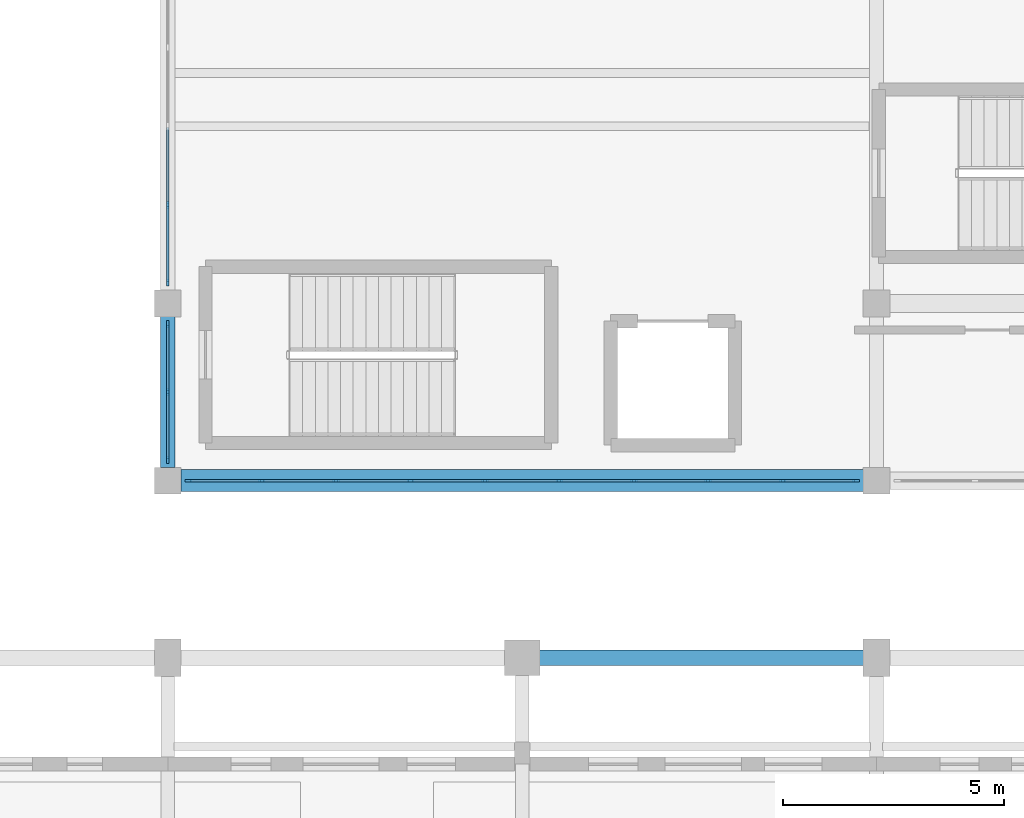
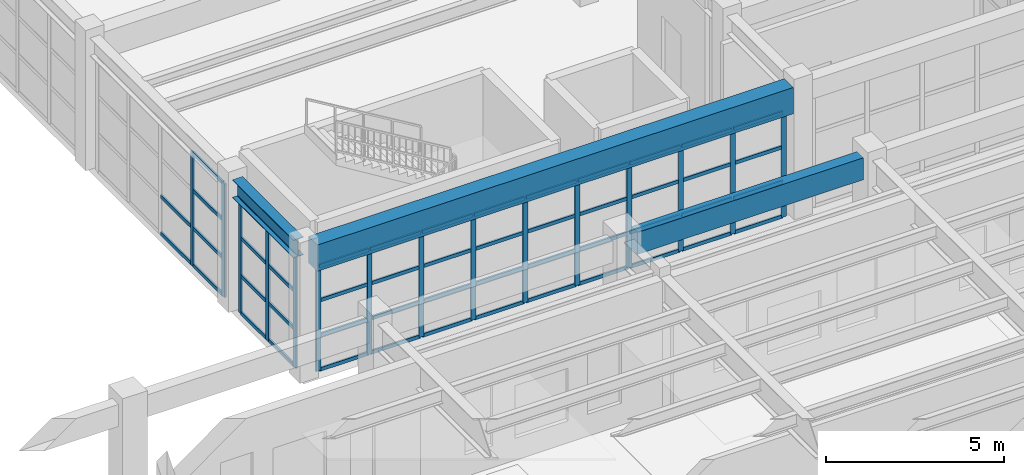
# One storey, part 19 of 59: 65 members, 3 beams, 3 elements without a shape of their own.
"""IFC4 building model written with IfcOpenShell, lengths in metres."""

from ifc_helpers import new_model, si_unit, direction, frame, origin, origin_2d, place, context, subcontext, project, spatial, rectangle, i_section, extrude, material, material_profile, profile_set, type_object, element, aggregate, save


model = new_model("IFC4")

# Units and contexts
model_context = context("Model", 3, precision=1e-05, world=origin(), true_north=direction((0.0, 1.0)))
body_context = subcontext(model_context, "Body", "Model", "MODEL_VIEW")
ifc_project = project(units=[si_unit("LENGTHUNIT", "METRE"), si_unit("AREAUNIT", "SQUARE_METRE"), si_unit("VOLUMEUNIT", "CUBIC_METRE"), si_unit("PLANEANGLEUNIT", "RADIAN"), si_unit("MASSUNIT", "GRAM", prefix="KILO")], contexts=[model_context])

# Site, building, storey
site_placement = place(None, origin())
site = spatial("IfcSite", under=ifc_project, at=site_placement, CompositionType="ELEMENT")
building_placement = place(site_placement, origin())
building = spatial("IfcBuilding", under=site, at=building_placement, Name="Serraluz Foothill Cableway Terminal", CompositionType="ELEMENT")
storey_placement = place(building_placement, frame((0.0, 0.0, 4.800048828125)))
storey = spatial("IfcBuildingStorey", under=building, at=storey_placement, Name="L01", CompositionType="ELEMENT", Elevation=4.800048828125)

# Beams
ifc_material_1 = material(Name="Concrete C35/45 (f'c 35 MPa)", Category="concrete")
ifc_material_profile_1 = material_profile(ifc_material_1, rectangle(XDim=0.5, YDim=0.89990234375, at=origin_2d()), Name="RC 500x900")
ifc_profile_set_1 = profile_set([ifc_material_profile_1], Name="Concrete C35/45 (f'c 35 MPa)")
beam_type_1 = type_object("IfcBeamType", Name="TYP-BM-RC500X900", PredefinedType="BEAM", material=ifc_profile_set_1)
beam_1_placement = place(storey_placement, frame((80.2958984375, 76.0, 4.050048828125), z_axis=(1.0, 0.0, 0.0), x_axis=(0.0, 1.0, 0.0)))
element("IfcBeam", 1, at=beam_1_placement, inside=storey, type_object=beam_type_1, Name="Primary Girder BM-X-L01-0234", PredefinedType="BEAM", context=body_context, shape_type="SweptSolid", body=[
    extrude(rectangle(XDim=0.5, YDim=0.89990234375, at=origin_2d()), origin(), (0.0, 0.0, 1.0), 15.408203125),
])
ifc_material_2 = material(Name="Steel ASTM A992 Grade 50", Category="steel")
ifc_material_profile_2 = material_profile(ifc_material_2, i_section(OverallWidth=0.324951171875, OverallDepth=0.615966796875, WebThickness=0.013916015625, FlangeThickness=0.021484375, FilletRadius=0.01806640625, at=origin_2d()), Name="W24X117")
ifc_profile_set_2 = profile_set([ifc_material_profile_2], Name="Steel ASTM A992 Grade 50")
beam_type_2 = type_object("IfcBeamType", Name="TYP-BM-W24X117", PredefinedType="BEAM", material=ifc_profile_set_2)
beam_2_placement = place(storey_placement, frame((80.0, 76.2958984375, 4.19189453125), z_axis=(0.0, 1.0, 0.0), x_axis=(-1.0, 0.0, 0.0)))
element("IfcBeam", 2, at=beam_2_placement, inside=storey, type_object=beam_type_2, Name="Transverse Girder BM-Y-L01-0260", PredefinedType="BEAM", context=body_context, shape_type="SweptSolid", body=[
    extrude(i_section(OverallWidth=0.324951171875, OverallDepth=0.615966796875, WebThickness=0.013916015625, FlangeThickness=0.021484375, FilletRadius=0.01806640625, at=origin_2d()), origin(), (0.0, 0.0, 1.0), 3.408203125),
])

# Curtain wall, members
ifc_material_3 = material(Name="Architectural bronze alloy C28000", Category="aluminium")
curtain_wall_type = type_object("IfcCurtainWallType", Name="TYP-CW-680X420", PredefinedType="NOTDEFINED", material=ifc_material_3)
curtain_wall_1_placement = place(storey_placement, origin())
curtain_wall_1 = element("IfcCurtainWall", 3, at=curtain_wall_1_placement, inside=storey, type_object=curtain_wall_type, Name="Ribbed Glazed Curtain Wall CW-V4S-L01-80", PredefinedType="NOTDEFINED")
ifc_material_profile_3 = material_profile(ifc_material_3, rectangle(XDim=0.06005859375, YDim=0.159912109375, at=origin_2d()), Name="ALU MULLION 60x160")
ifc_profile_set_3 = profile_set([ifc_material_profile_3], Name="Architectural bronze alloy C28000")
member_type_1 = type_object("IfcMemberType", Name="TYP-CW-MUL-60X160", PredefinedType="MULLION", material=ifc_profile_set_3)
member_1_placement = place(storey_placement, frame((95.530029296875, 76.0, 0.0), z_axis=(0.0, 0.0, 1.0), x_axis=(0.0, -1.0, 0.0)))
member_1 = element("IfcMember", 4, at=member_1_placement, type_object=member_type_1, Name="CW-13 mullion 1", PredefinedType="MULLION", context=body_context, shape_type="SweptSolid", body=[
    extrude(rectangle(XDim=0.06005859375, YDim=0.159912109375, at=origin_2d()), origin(), (0.0, 0.0, 1.0), 3.599853515625),
])
member_2_placement = place(storey_placement, frame((93.8798828125, 76.0, 0.0), z_axis=(0.0, 0.0, 1.0), x_axis=(0.0, -1.0, 0.0)))
member_2 = element("IfcMember", 5, at=member_2_placement, type_object=member_type_1, Name="CW-13 mullion 2", PredefinedType="MULLION", context=body_context, shape_type="SweptSolid", body=[
    extrude(rectangle(XDim=0.06005859375, YDim=0.159912109375, at=origin_2d()), origin(), (0.0, 0.0, 1.0), 3.599853515625),
])
member_3_placement = place(storey_placement, frame((92.199951171875, 76.0, 0.0), z_axis=(0.0, 0.0, 1.0), x_axis=(0.0, -1.0, 0.0)))
member_3 = element("IfcMember", 6, at=member_3_placement, type_object=member_type_1, Name="CW-13 mullion 3", PredefinedType="MULLION", context=body_context, shape_type="SweptSolid", body=[
    extrude(rectangle(XDim=0.06005859375, YDim=0.159912109375, at=origin_2d()), origin(), (0.0, 0.0, 1.0), 3.599853515625),
])
member_4_placement = place(storey_placement, frame((90.52001953125, 76.0, 0.0), z_axis=(0.0, 0.0, 1.0), x_axis=(0.0, -1.0, 0.0)))
member_4 = element("IfcMember", 7, at=member_4_placement, type_object=member_type_1, Name="CW-13 mullion 4", PredefinedType="MULLION", context=body_context, shape_type="SweptSolid", body=[
    extrude(rectangle(XDim=0.06005859375, YDim=0.159912109375, at=origin_2d()), origin(), (0.0, 0.0, 1.0), 3.599853515625),
])
member_5_placement = place(storey_placement, frame((88.840087890625, 76.0, 0.0), z_axis=(0.0, 0.0, 1.0), x_axis=(0.0, -1.0, 0.0)))
member_5 = element("IfcMember", 8, at=member_5_placement, type_object=member_type_1, Name="CW-13 mullion 5", PredefinedType="MULLION", context=body_context, shape_type="SweptSolid", body=[
    extrude(rectangle(XDim=0.06005859375, YDim=0.159912109375, at=origin_2d()), origin(), (0.0, 0.0, 1.0), 3.599853515625),
])
member_6_placement = place(storey_placement, frame((87.159912109375, 76.0, 0.0), z_axis=(0.0, 0.0, 1.0), x_axis=(0.0, -1.0, 0.0)))
member_6 = element("IfcMember", 9, at=member_6_placement, type_object=member_type_1, Name="CW-13 mullion 6", PredefinedType="MULLION", context=body_context, shape_type="SweptSolid", body=[
    extrude(rectangle(XDim=0.06005859375, YDim=0.159912109375, at=origin_2d()), origin(), (0.0, 0.0, 1.0), 3.599853515625),
])
member_7_placement = place(storey_placement, frame((85.47998046875, 76.0, 0.0), z_axis=(0.0, 0.0, 1.0), x_axis=(0.0, -1.0, 0.0)))
member_7 = element("IfcMember", 10, at=member_7_placement, type_object=member_type_1, Name="CW-13 mullion 7", PredefinedType="MULLION", context=body_context, shape_type="SweptSolid", body=[
    extrude(rectangle(XDim=0.06005859375, YDim=0.159912109375, at=origin_2d()), origin(), (0.0, 0.0, 1.0), 3.599853515625),
])
member_8_placement = place(storey_placement, frame((83.800048828125, 76.0, 0.0), z_axis=(0.0, 0.0, 1.0), x_axis=(0.0, -1.0, 0.0)))
member_8 = element("IfcMember", 11, at=member_8_placement, type_object=member_type_1, Name="CW-13 mullion 8", PredefinedType="MULLION", context=body_context, shape_type="SweptSolid", body=[
    extrude(rectangle(XDim=0.06005859375, YDim=0.159912109375, at=origin_2d()), origin(), (0.0, 0.0, 1.0), 3.599853515625),
])
member_9_placement = place(storey_placement, frame((82.1201171875, 76.0, 0.0), z_axis=(0.0, 0.0, 1.0), x_axis=(0.0, -1.0, 0.0)))
member_9 = element("IfcMember", 12, at=member_9_placement, type_object=member_type_1, Name="CW-13 mullion 9", PredefinedType="MULLION", context=body_context, shape_type="SweptSolid", body=[
    extrude(rectangle(XDim=0.06005859375, YDim=0.159912109375, at=origin_2d()), origin(), (0.0, 0.0, 1.0), 3.599853515625),
])
member_10_placement = place(storey_placement, frame((80.469970703125, 76.0, 0.0), z_axis=(0.0, 0.0, 1.0), x_axis=(0.0, -1.0, 0.0)))
member_10 = element("IfcMember", 13, at=member_10_placement, type_object=member_type_1, Name="CW-13 mullion 10", PredefinedType="MULLION", context=body_context, shape_type="SweptSolid", body=[
    extrude(rectangle(XDim=0.06005859375, YDim=0.159912109375, at=origin_2d()), origin(), (0.0, 0.0, 1.0), 3.599853515625),
])

curtain_wall_2_placement = place(storey_placement, origin())
curtain_wall_2 = element("IfcCurtainWall", 14, at=curtain_wall_2_placement, inside=storey, type_object=curtain_wall_type, Name="Ribbed Glazed Curtain Wall CW-V4W-L01-76", PredefinedType="NOTDEFINED")
member_11_placement = place(storey_placement, frame((80.0, 76.469970703125, 0.0), z_axis=(0.0, 0.0, 1.0), x_axis=(-1.0, 0.0, 0.0)))
member_11 = element("IfcMember", 15, at=member_11_placement, type_object=member_type_1, Name="CW-13 mullion 1", PredefinedType="MULLION", context=body_context, shape_type="SweptSolid", body=[
    extrude(rectangle(XDim=0.06005859375, YDim=0.159912109375, at=origin_2d()), origin(), (0.0, 0.0, 1.0), 3.884033203125),
])
member_12_placement = place(storey_placement, frame((80.0, 78.0, 0.0), z_axis=(0.0, 0.0, 1.0), x_axis=(-1.0, 0.0, 0.0)))
member_12 = element("IfcMember", 16, at=member_12_placement, type_object=member_type_1, Name="CW-13 mullion 2", PredefinedType="MULLION", context=body_context, shape_type="SweptSolid", body=[
    extrude(rectangle(XDim=0.06005859375, YDim=0.159912109375, at=origin_2d()), origin(), (0.0, 0.0, 1.0), 3.884033203125),
])
member_13_placement = place(storey_placement, frame((80.0, 79.530029296875, 0.0), z_axis=(0.0, 0.0, 1.0), x_axis=(-1.0, 0.0, 0.0)))
member_13 = element("IfcMember", 17, at=member_13_placement, type_object=member_type_1, Name="CW-13 mullion 3", PredefinedType="MULLION", context=body_context, shape_type="SweptSolid", body=[
    extrude(rectangle(XDim=0.06005859375, YDim=0.159912109375, at=origin_2d()), origin(), (0.0, 0.0, 1.0), 3.884033203125),
])

curtain_wall_3_placement = place(storey_placement, origin())
curtain_wall_3 = element("IfcCurtainWall", 18, at=curtain_wall_3_placement, inside=storey, type_object=curtain_wall_type, Name="Ribbed Glazed Curtain Wall CW-V4W-L01-80", PredefinedType="NOTDEFINED")
member_14_placement = place(storey_placement, frame((80.0, 80.469970703125, 0.0), z_axis=(0.0, 0.0, 1.0), x_axis=(-1.0, 0.0, 0.0)))
member_14 = element("IfcMember", 19, at=member_14_placement, type_object=member_type_1, Name="CW-13 mullion 1", PredefinedType="MULLION", context=body_context, shape_type="SweptSolid", body=[
    extrude(rectangle(XDim=0.06005859375, YDim=0.159912109375, at=origin_2d()), origin(), (0.0, 0.0, 1.0), 3.884033203125),
])
member_15_placement = place(storey_placement, frame((80.0, 82.219970703125, 0.0), z_axis=(0.0, 0.0, 1.0), x_axis=(-1.0, 0.0, 0.0)))
member_15 = element("IfcMember", 20, at=member_15_placement, type_object=member_type_1, Name="CW-13 mullion 2", PredefinedType="MULLION", context=body_context, shape_type="SweptSolid", body=[
    extrude(rectangle(XDim=0.06005859375, YDim=0.159912109375, at=origin_2d()), origin(), (0.0, 0.0, 1.0), 3.884033203125),
])

# Member
ifc_material_profile_4 = material_profile(ifc_material_3, rectangle(XDim=0.06005859375, YDim=0.1201171875, at=origin_2d()), Name="ALU TRANSOM 60x120")
ifc_profile_set_4 = profile_set([ifc_material_profile_4], Name="Architectural bronze alloy C28000")
member_type_2 = type_object("IfcMemberType", Name="TYP-CW-TRN-60X120", PredefinedType="USERDEFINED", material=ifc_profile_set_4)
member_16_placement = place(storey_placement, frame((95.5, 76.0, 0.030029296875), z_axis=(-1.0, 0.0, 0.0), x_axis=(0.0, -1.0, 0.0)))
member_16 = element("IfcMember", 21, at=member_16_placement, type_object=member_type_2, Name="CW-13 transom 1.1", ObjectType="TRANSOM", PredefinedType="USERDEFINED", context=body_context, shape_type="SweptSolid", body=[
    extrude(rectangle(XDim=0.06005859375, YDim=0.1201171875, at=origin_2d()), origin(), (0.0, 0.0, 1.0), 1.590087890625),
])

member_17_placement = place(storey_placement, frame((95.5, 76.0, 1.199951171875), z_axis=(-1.0, 0.0, 0.0), x_axis=(0.0, -1.0, 0.0)))
member_17 = element("IfcMember", 22, at=member_17_placement, type_object=member_type_2, Name="CW-13 transom 1.2", ObjectType="TRANSOM", PredefinedType="USERDEFINED", context=body_context, shape_type="SweptSolid", body=[
    extrude(rectangle(XDim=0.06005859375, YDim=0.1201171875, at=origin_2d()), origin(), (0.0, 0.0, 1.0), 1.590087890625),
])

member_18_placement = place(storey_placement, frame((95.5, 76.0, 2.39990234375), z_axis=(-1.0, 0.0, 0.0), x_axis=(0.0, -1.0, 0.0)))
member_18 = element("IfcMember", 23, at=member_18_placement, type_object=member_type_2, Name="CW-13 transom 1.3", ObjectType="TRANSOM", PredefinedType="USERDEFINED", context=body_context, shape_type="SweptSolid", body=[
    extrude(rectangle(XDim=0.06005859375, YDim=0.1201171875, at=origin_2d()), origin(), (0.0, 0.0, 1.0), 1.590087890625),
])

member_19_placement = place(storey_placement, frame((95.5, 76.0, 3.570068359375), z_axis=(-1.0, 0.0, 0.0), x_axis=(0.0, -1.0, 0.0)))
member_19 = element("IfcMember", 24, at=member_19_placement, type_object=member_type_2, Name="CW-13 transom 1.4", ObjectType="TRANSOM", PredefinedType="USERDEFINED", context=body_context, shape_type="SweptSolid", body=[
    extrude(rectangle(XDim=0.06005859375, YDim=0.1201171875, at=origin_2d()), origin(), (0.0, 0.0, 1.0), 1.590087890625),
])

member_20_placement = place(storey_placement, frame((93.85009765625, 76.0, 0.030029296875), z_axis=(-1.0, 0.0, 0.0), x_axis=(0.0, -1.0, 0.0)))
member_20 = element("IfcMember", 25, at=member_20_placement, type_object=member_type_2, Name="CW-13 transom 2.1", ObjectType="TRANSOM", PredefinedType="USERDEFINED", context=body_context, shape_type="SweptSolid", body=[
    extrude(rectangle(XDim=0.06005859375, YDim=0.1201171875, at=origin_2d()), origin(), (0.0, 0.0, 1.0), 1.6201171875),
])

member_21_placement = place(storey_placement, frame((93.85009765625, 76.0, 1.199951171875), z_axis=(-1.0, 0.0, 0.0), x_axis=(0.0, -1.0, 0.0)))
member_21 = element("IfcMember", 26, at=member_21_placement, type_object=member_type_2, Name="CW-13 transom 2.2", ObjectType="TRANSOM", PredefinedType="USERDEFINED", context=body_context, shape_type="SweptSolid", body=[
    extrude(rectangle(XDim=0.06005859375, YDim=0.1201171875, at=origin_2d()), origin(), (0.0, 0.0, 1.0), 1.6201171875),
])

member_22_placement = place(storey_placement, frame((93.85009765625, 76.0, 2.39990234375), z_axis=(-1.0, 0.0, 0.0), x_axis=(0.0, -1.0, 0.0)))
member_22 = element("IfcMember", 27, at=member_22_placement, type_object=member_type_2, Name="CW-13 transom 2.3", ObjectType="TRANSOM", PredefinedType="USERDEFINED", context=body_context, shape_type="SweptSolid", body=[
    extrude(rectangle(XDim=0.06005859375, YDim=0.1201171875, at=origin_2d()), origin(), (0.0, 0.0, 1.0), 1.6201171875),
])

member_23_placement = place(storey_placement, frame((93.85009765625, 76.0, 3.570068359375), z_axis=(-1.0, 0.0, 0.0), x_axis=(0.0, -1.0, 0.0)))
member_23 = element("IfcMember", 28, at=member_23_placement, type_object=member_type_2, Name="CW-13 transom 2.4", ObjectType="TRANSOM", PredefinedType="USERDEFINED", context=body_context, shape_type="SweptSolid", body=[
    extrude(rectangle(XDim=0.06005859375, YDim=0.1201171875, at=origin_2d()), origin(), (0.0, 0.0, 1.0), 1.6201171875),
])

member_24_placement = place(storey_placement, frame((92.169921875, 76.0, 0.030029296875), z_axis=(-1.0, 0.0, 0.0), x_axis=(0.0, -1.0, 0.0)))
member_24 = element("IfcMember", 29, at=member_24_placement, type_object=member_type_2, Name="CW-13 transom 3.1", ObjectType="TRANSOM", PredefinedType="USERDEFINED", context=body_context, shape_type="SweptSolid", body=[
    extrude(rectangle(XDim=0.06005859375, YDim=0.1201171875, at=origin_2d()), origin(), (0.0, 0.0, 1.0), 1.619873046875),
])

member_25_placement = place(storey_placement, frame((92.169921875, 76.0, 1.199951171875), z_axis=(-1.0, 0.0, 0.0), x_axis=(0.0, -1.0, 0.0)))
member_25 = element("IfcMember", 30, at=member_25_placement, type_object=member_type_2, Name="CW-13 transom 3.2", ObjectType="TRANSOM", PredefinedType="USERDEFINED", context=body_context, shape_type="SweptSolid", body=[
    extrude(rectangle(XDim=0.06005859375, YDim=0.1201171875, at=origin_2d()), origin(), (0.0, 0.0, 1.0), 1.619873046875),
])

member_26_placement = place(storey_placement, frame((92.169921875, 76.0, 2.39990234375), z_axis=(-1.0, 0.0, 0.0), x_axis=(0.0, -1.0, 0.0)))
member_26 = element("IfcMember", 31, at=member_26_placement, type_object=member_type_2, Name="CW-13 transom 3.3", ObjectType="TRANSOM", PredefinedType="USERDEFINED", context=body_context, shape_type="SweptSolid", body=[
    extrude(rectangle(XDim=0.06005859375, YDim=0.1201171875, at=origin_2d()), origin(), (0.0, 0.0, 1.0), 1.619873046875),
])

member_27_placement = place(storey_placement, frame((92.169921875, 76.0, 3.570068359375), z_axis=(-1.0, 0.0, 0.0), x_axis=(0.0, -1.0, 0.0)))
member_27 = element("IfcMember", 32, at=member_27_placement, type_object=member_type_2, Name="CW-13 transom 3.4", ObjectType="TRANSOM", PredefinedType="USERDEFINED", context=body_context, shape_type="SweptSolid", body=[
    extrude(rectangle(XDim=0.06005859375, YDim=0.1201171875, at=origin_2d()), origin(), (0.0, 0.0, 1.0), 1.619873046875),
])

member_28_placement = place(storey_placement, frame((90.489990234375, 76.0, 0.030029296875), z_axis=(-1.0, 0.0, 0.0), x_axis=(0.0, -1.0, 0.0)))
member_28 = element("IfcMember", 33, at=member_28_placement, type_object=member_type_2, Name="CW-13 transom 4.1", ObjectType="TRANSOM", PredefinedType="USERDEFINED", context=body_context, shape_type="SweptSolid", body=[
    extrude(rectangle(XDim=0.06005859375, YDim=0.1201171875, at=origin_2d()), origin(), (0.0, 0.0, 1.0), 1.619873046875),
])

member_29_placement = place(storey_placement, frame((90.489990234375, 76.0, 1.199951171875), z_axis=(-1.0, 0.0, 0.0), x_axis=(0.0, -1.0, 0.0)))
member_29 = element("IfcMember", 34, at=member_29_placement, type_object=member_type_2, Name="CW-13 transom 4.2", ObjectType="TRANSOM", PredefinedType="USERDEFINED", context=body_context, shape_type="SweptSolid", body=[
    extrude(rectangle(XDim=0.06005859375, YDim=0.1201171875, at=origin_2d()), origin(), (0.0, 0.0, 1.0), 1.619873046875),
])

member_30_placement = place(storey_placement, frame((90.489990234375, 76.0, 2.39990234375), z_axis=(-1.0, 0.0, 0.0), x_axis=(0.0, -1.0, 0.0)))
member_30 = element("IfcMember", 35, at=member_30_placement, type_object=member_type_2, Name="CW-13 transom 4.3", ObjectType="TRANSOM", PredefinedType="USERDEFINED", context=body_context, shape_type="SweptSolid", body=[
    extrude(rectangle(XDim=0.06005859375, YDim=0.1201171875, at=origin_2d()), origin(), (0.0, 0.0, 1.0), 1.619873046875),
])

member_31_placement = place(storey_placement, frame((90.489990234375, 76.0, 3.570068359375), z_axis=(-1.0, 0.0, 0.0), x_axis=(0.0, -1.0, 0.0)))
member_31 = element("IfcMember", 36, at=member_31_placement, type_object=member_type_2, Name="CW-13 transom 4.4", ObjectType="TRANSOM", PredefinedType="USERDEFINED", context=body_context, shape_type="SweptSolid", body=[
    extrude(rectangle(XDim=0.06005859375, YDim=0.1201171875, at=origin_2d()), origin(), (0.0, 0.0, 1.0), 1.619873046875),
])

member_32_placement = place(storey_placement, frame((88.81005859375, 76.0, 0.030029296875), z_axis=(-1.0, 0.0, 0.0), x_axis=(0.0, -1.0, 0.0)))
member_32 = element("IfcMember", 37, at=member_32_placement, type_object=member_type_2, Name="CW-13 transom 5.1", ObjectType="TRANSOM", PredefinedType="USERDEFINED", context=body_context, shape_type="SweptSolid", body=[
    extrude(rectangle(XDim=0.06005859375, YDim=0.1201171875, at=origin_2d()), origin(), (0.0, 0.0, 1.0), 1.6201171875),
])

member_33_placement = place(storey_placement, frame((88.81005859375, 76.0, 1.199951171875), z_axis=(-1.0, 0.0, 0.0), x_axis=(0.0, -1.0, 0.0)))
member_33 = element("IfcMember", 38, at=member_33_placement, type_object=member_type_2, Name="CW-13 transom 5.2", ObjectType="TRANSOM", PredefinedType="USERDEFINED", context=body_context, shape_type="SweptSolid", body=[
    extrude(rectangle(XDim=0.06005859375, YDim=0.1201171875, at=origin_2d()), origin(), (0.0, 0.0, 1.0), 1.6201171875),
])

member_34_placement = place(storey_placement, frame((88.81005859375, 76.0, 2.39990234375), z_axis=(-1.0, 0.0, 0.0), x_axis=(0.0, -1.0, 0.0)))
member_34 = element("IfcMember", 39, at=member_34_placement, type_object=member_type_2, Name="CW-13 transom 5.3", ObjectType="TRANSOM", PredefinedType="USERDEFINED", context=body_context, shape_type="SweptSolid", body=[
    extrude(rectangle(XDim=0.06005859375, YDim=0.1201171875, at=origin_2d()), origin(), (0.0, 0.0, 1.0), 1.6201171875),
])

member_35_placement = place(storey_placement, frame((88.81005859375, 76.0, 3.570068359375), z_axis=(-1.0, 0.0, 0.0), x_axis=(0.0, -1.0, 0.0)))
member_35 = element("IfcMember", 40, at=member_35_placement, type_object=member_type_2, Name="CW-13 transom 5.4", ObjectType="TRANSOM", PredefinedType="USERDEFINED", context=body_context, shape_type="SweptSolid", body=[
    extrude(rectangle(XDim=0.06005859375, YDim=0.1201171875, at=origin_2d()), origin(), (0.0, 0.0, 1.0), 1.6201171875),
])

member_36_placement = place(storey_placement, frame((87.1298828125, 76.0, 0.030029296875), z_axis=(-1.0, 0.0, 0.0), x_axis=(0.0, -1.0, 0.0)))
member_36 = element("IfcMember", 41, at=member_36_placement, type_object=member_type_2, Name="CW-13 transom 6.1", ObjectType="TRANSOM", PredefinedType="USERDEFINED", context=body_context, shape_type="SweptSolid", body=[
    extrude(rectangle(XDim=0.06005859375, YDim=0.1201171875, at=origin_2d()), origin(), (0.0, 0.0, 1.0), 1.619873046875),
])

member_37_placement = place(storey_placement, frame((87.1298828125, 76.0, 1.199951171875), z_axis=(-1.0, 0.0, 0.0), x_axis=(0.0, -1.0, 0.0)))
member_37 = element("IfcMember", 42, at=member_37_placement, type_object=member_type_2, Name="CW-13 transom 6.2", ObjectType="TRANSOM", PredefinedType="USERDEFINED", context=body_context, shape_type="SweptSolid", body=[
    extrude(rectangle(XDim=0.06005859375, YDim=0.1201171875, at=origin_2d()), origin(), (0.0, 0.0, 1.0), 1.619873046875),
])

member_38_placement = place(storey_placement, frame((87.1298828125, 76.0, 2.39990234375), z_axis=(-1.0, 0.0, 0.0), x_axis=(0.0, -1.0, 0.0)))
member_38 = element("IfcMember", 43, at=member_38_placement, type_object=member_type_2, Name="CW-13 transom 6.3", ObjectType="TRANSOM", PredefinedType="USERDEFINED", context=body_context, shape_type="SweptSolid", body=[
    extrude(rectangle(XDim=0.06005859375, YDim=0.1201171875, at=origin_2d()), origin(), (0.0, 0.0, 1.0), 1.619873046875),
])

member_39_placement = place(storey_placement, frame((87.1298828125, 76.0, 3.570068359375), z_axis=(-1.0, 0.0, 0.0), x_axis=(0.0, -1.0, 0.0)))
member_39 = element("IfcMember", 44, at=member_39_placement, type_object=member_type_2, Name="CW-13 transom 6.4", ObjectType="TRANSOM", PredefinedType="USERDEFINED", context=body_context, shape_type="SweptSolid", body=[
    extrude(rectangle(XDim=0.06005859375, YDim=0.1201171875, at=origin_2d()), origin(), (0.0, 0.0, 1.0), 1.619873046875),
])

member_40_placement = place(storey_placement, frame((85.449951171875, 76.0, 0.030029296875), z_axis=(-1.0, 0.0, 0.0), x_axis=(0.0, -1.0, 0.0)))
member_40 = element("IfcMember", 45, at=member_40_placement, type_object=member_type_2, Name="CW-13 transom 7.1", ObjectType="TRANSOM", PredefinedType="USERDEFINED", context=body_context, shape_type="SweptSolid", body=[
    extrude(rectangle(XDim=0.06005859375, YDim=0.1201171875, at=origin_2d()), origin(), (0.0, 0.0, 1.0), 1.619873046875),
])

member_41_placement = place(storey_placement, frame((85.449951171875, 76.0, 1.199951171875), z_axis=(-1.0, 0.0, 0.0), x_axis=(0.0, -1.0, 0.0)))
member_41 = element("IfcMember", 46, at=member_41_placement, type_object=member_type_2, Name="CW-13 transom 7.2", ObjectType="TRANSOM", PredefinedType="USERDEFINED", context=body_context, shape_type="SweptSolid", body=[
    extrude(rectangle(XDim=0.06005859375, YDim=0.1201171875, at=origin_2d()), origin(), (0.0, 0.0, 1.0), 1.619873046875),
])

member_42_placement = place(storey_placement, frame((85.449951171875, 76.0, 2.39990234375), z_axis=(-1.0, 0.0, 0.0), x_axis=(0.0, -1.0, 0.0)))
member_42 = element("IfcMember", 47, at=member_42_placement, type_object=member_type_2, Name="CW-13 transom 7.3", ObjectType="TRANSOM", PredefinedType="USERDEFINED", context=body_context, shape_type="SweptSolid", body=[
    extrude(rectangle(XDim=0.06005859375, YDim=0.1201171875, at=origin_2d()), origin(), (0.0, 0.0, 1.0), 1.619873046875),
])

member_43_placement = place(storey_placement, frame((85.449951171875, 76.0, 3.570068359375), z_axis=(-1.0, 0.0, 0.0), x_axis=(0.0, -1.0, 0.0)))
member_43 = element("IfcMember", 48, at=member_43_placement, type_object=member_type_2, Name="CW-13 transom 7.4", ObjectType="TRANSOM", PredefinedType="USERDEFINED", context=body_context, shape_type="SweptSolid", body=[
    extrude(rectangle(XDim=0.06005859375, YDim=0.1201171875, at=origin_2d()), origin(), (0.0, 0.0, 1.0), 1.619873046875),
])

member_44_placement = place(storey_placement, frame((83.77001953125, 76.0, 0.030029296875), z_axis=(-1.0, 0.0, 0.0), x_axis=(0.0, -1.0, 0.0)))
member_44 = element("IfcMember", 49, at=member_44_placement, type_object=member_type_2, Name="CW-13 transom 8.1", ObjectType="TRANSOM", PredefinedType="USERDEFINED", context=body_context, shape_type="SweptSolid", body=[
    extrude(rectangle(XDim=0.06005859375, YDim=0.1201171875, at=origin_2d()), origin(), (0.0, 0.0, 1.0), 1.6201171875),
])

member_45_placement = place(storey_placement, frame((83.77001953125, 76.0, 1.199951171875), z_axis=(-1.0, 0.0, 0.0), x_axis=(0.0, -1.0, 0.0)))
member_45 = element("IfcMember", 50, at=member_45_placement, type_object=member_type_2, Name="CW-13 transom 8.2", ObjectType="TRANSOM", PredefinedType="USERDEFINED", context=body_context, shape_type="SweptSolid", body=[
    extrude(rectangle(XDim=0.06005859375, YDim=0.1201171875, at=origin_2d()), origin(), (0.0, 0.0, 1.0), 1.6201171875),
])

member_46_placement = place(storey_placement, frame((83.77001953125, 76.0, 2.39990234375), z_axis=(-1.0, 0.0, 0.0), x_axis=(0.0, -1.0, 0.0)))
member_46 = element("IfcMember", 51, at=member_46_placement, type_object=member_type_2, Name="CW-13 transom 8.3", ObjectType="TRANSOM", PredefinedType="USERDEFINED", context=body_context, shape_type="SweptSolid", body=[
    extrude(rectangle(XDim=0.06005859375, YDim=0.1201171875, at=origin_2d()), origin(), (0.0, 0.0, 1.0), 1.6201171875),
])

member_47_placement = place(storey_placement, frame((83.77001953125, 76.0, 3.570068359375), z_axis=(-1.0, 0.0, 0.0), x_axis=(0.0, -1.0, 0.0)))
member_47 = element("IfcMember", 52, at=member_47_placement, type_object=member_type_2, Name="CW-13 transom 8.4", ObjectType="TRANSOM", PredefinedType="USERDEFINED", context=body_context, shape_type="SweptSolid", body=[
    extrude(rectangle(XDim=0.06005859375, YDim=0.1201171875, at=origin_2d()), origin(), (0.0, 0.0, 1.0), 1.6201171875),
])

member_48_placement = place(storey_placement, frame((82.090087890625, 76.0, 0.030029296875), z_axis=(-1.0, 0.0, 0.0), x_axis=(0.0, -1.0, 0.0)))
member_48 = element("IfcMember", 53, at=member_48_placement, type_object=member_type_2, Name="CW-13 transom 9.1", ObjectType="TRANSOM", PredefinedType="USERDEFINED", context=body_context, shape_type="SweptSolid", body=[
    extrude(rectangle(XDim=0.06005859375, YDim=0.1201171875, at=origin_2d()), origin(), (0.0, 0.0, 1.0), 1.590087890625),
])

member_49_placement = place(storey_placement, frame((82.090087890625, 76.0, 1.199951171875), z_axis=(-1.0, 0.0, 0.0), x_axis=(0.0, -1.0, 0.0)))
member_49 = element("IfcMember", 54, at=member_49_placement, type_object=member_type_2, Name="CW-13 transom 9.2", ObjectType="TRANSOM", PredefinedType="USERDEFINED", context=body_context, shape_type="SweptSolid", body=[
    extrude(rectangle(XDim=0.06005859375, YDim=0.1201171875, at=origin_2d()), origin(), (0.0, 0.0, 1.0), 1.590087890625),
])

member_50_placement = place(storey_placement, frame((82.090087890625, 76.0, 2.39990234375), z_axis=(-1.0, 0.0, 0.0), x_axis=(0.0, -1.0, 0.0)))
member_50 = element("IfcMember", 55, at=member_50_placement, type_object=member_type_2, Name="CW-13 transom 9.3", ObjectType="TRANSOM", PredefinedType="USERDEFINED", context=body_context, shape_type="SweptSolid", body=[
    extrude(rectangle(XDim=0.06005859375, YDim=0.1201171875, at=origin_2d()), origin(), (0.0, 0.0, 1.0), 1.590087890625),
])

member_51_placement = place(storey_placement, frame((82.090087890625, 76.0, 3.570068359375), z_axis=(-1.0, 0.0, 0.0), x_axis=(0.0, -1.0, 0.0)))
member_51 = element("IfcMember", 56, at=member_51_placement, type_object=member_type_2, Name="CW-13 transom 9.4", ObjectType="TRANSOM", PredefinedType="USERDEFINED", context=body_context, shape_type="SweptSolid", body=[
    extrude(rectangle(XDim=0.06005859375, YDim=0.1201171875, at=origin_2d()), origin(), (0.0, 0.0, 1.0), 1.590087890625),
])

aggregate(curtain_wall_1, [member_1, member_2, member_3, member_4, member_5, member_6, member_7, member_8, member_9, member_10, member_16, member_17, member_18, member_19, member_20, member_21, member_22, member_23, member_24, member_25, member_26, member_27, member_28, member_29, member_30, member_31, member_32, member_33, member_34, member_35, member_36, member_37, member_38, member_39, member_40, member_41, member_42, member_43, member_44, member_45, member_46, member_47, member_48, member_49, member_50, member_51])

member_52_placement = place(storey_placement, frame((80.0, 76.5, 0.030029296875), z_axis=(0.0, 1.0, 0.0), x_axis=(-1.0, 0.0, 0.0)))
member_52 = element("IfcMember", 57, at=member_52_placement, type_object=member_type_2, Name="CW-13 transom 1.1", ObjectType="TRANSOM", PredefinedType="USERDEFINED", context=body_context, shape_type="SweptSolid", body=[
    extrude(rectangle(XDim=0.06005859375, YDim=0.1201171875, at=origin_2d()), origin(), (0.0, 0.0, 1.0), 1.469970703125),
])

member_53_placement = place(storey_placement, frame((80.0, 76.5, 1.294677734375), z_axis=(0.0, 1.0, 0.0), x_axis=(-1.0, 0.0, 0.0)))
member_53 = element("IfcMember", 58, at=member_53_placement, type_object=member_type_2, Name="CW-13 transom 1.2", ObjectType="TRANSOM", PredefinedType="USERDEFINED", context=body_context, shape_type="SweptSolid", body=[
    extrude(rectangle(XDim=0.06005859375, YDim=0.1201171875, at=origin_2d()), origin(), (0.0, 0.0, 1.0), 1.469970703125),
])

member_54_placement = place(storey_placement, frame((80.0, 76.5, 2.58935546875), z_axis=(0.0, 1.0, 0.0), x_axis=(-1.0, 0.0, 0.0)))
member_54 = element("IfcMember", 59, at=member_54_placement, type_object=member_type_2, Name="CW-13 transom 1.3", ObjectType="TRANSOM", PredefinedType="USERDEFINED", context=body_context, shape_type="SweptSolid", body=[
    extrude(rectangle(XDim=0.06005859375, YDim=0.1201171875, at=origin_2d()), origin(), (0.0, 0.0, 1.0), 1.469970703125),
])

member_55_placement = place(storey_placement, frame((80.0, 76.5, 3.85400390625), z_axis=(0.0, 1.0, 0.0), x_axis=(-1.0, 0.0, 0.0)))
member_55 = element("IfcMember", 60, at=member_55_placement, type_object=member_type_2, Name="CW-13 transom 1.4", ObjectType="TRANSOM", PredefinedType="USERDEFINED", context=body_context, shape_type="SweptSolid", body=[
    extrude(rectangle(XDim=0.06005859375, YDim=0.1201171875, at=origin_2d()), origin(), (0.0, 0.0, 1.0), 1.469970703125),
])

member_56_placement = place(storey_placement, frame((80.0, 78.030029296875, 0.030029296875), z_axis=(0.0, 1.0, 0.0), x_axis=(-1.0, 0.0, 0.0)))
member_56 = element("IfcMember", 61, at=member_56_placement, type_object=member_type_2, Name="CW-13 transom 2.1", ObjectType="TRANSOM", PredefinedType="USERDEFINED", context=body_context, shape_type="SweptSolid", body=[
    extrude(rectangle(XDim=0.06005859375, YDim=0.1201171875, at=origin_2d()), origin(), (0.0, 0.0, 1.0), 1.469970703125),
])

member_57_placement = place(storey_placement, frame((80.0, 78.030029296875, 1.294677734375), z_axis=(0.0, 1.0, 0.0), x_axis=(-1.0, 0.0, 0.0)))
member_57 = element("IfcMember", 62, at=member_57_placement, type_object=member_type_2, Name="CW-13 transom 2.2", ObjectType="TRANSOM", PredefinedType="USERDEFINED", context=body_context, shape_type="SweptSolid", body=[
    extrude(rectangle(XDim=0.06005859375, YDim=0.1201171875, at=origin_2d()), origin(), (0.0, 0.0, 1.0), 1.469970703125),
])

member_58_placement = place(storey_placement, frame((80.0, 78.030029296875, 2.58935546875), z_axis=(0.0, 1.0, 0.0), x_axis=(-1.0, 0.0, 0.0)))
member_58 = element("IfcMember", 63, at=member_58_placement, type_object=member_type_2, Name="CW-13 transom 2.3", ObjectType="TRANSOM", PredefinedType="USERDEFINED", context=body_context, shape_type="SweptSolid", body=[
    extrude(rectangle(XDim=0.06005859375, YDim=0.1201171875, at=origin_2d()), origin(), (0.0, 0.0, 1.0), 1.469970703125),
])

member_59_placement = place(storey_placement, frame((80.0, 78.030029296875, 3.85400390625), z_axis=(0.0, 1.0, 0.0), x_axis=(-1.0, 0.0, 0.0)))
member_59 = element("IfcMember", 64, at=member_59_placement, type_object=member_type_2, Name="CW-13 transom 2.4", ObjectType="TRANSOM", PredefinedType="USERDEFINED", context=body_context, shape_type="SweptSolid", body=[
    extrude(rectangle(XDim=0.06005859375, YDim=0.1201171875, at=origin_2d()), origin(), (0.0, 0.0, 1.0), 1.469970703125),
])

aggregate(curtain_wall_2, [member_11, member_12, member_13, member_52, member_53, member_54, member_55, member_56, member_57, member_58, member_59])

member_60_placement = place(storey_placement, frame((80.0, 80.5, 0.030029296875), z_axis=(0.0, 1.0, 0.0), x_axis=(-1.0, 0.0, 0.0)))
member_60 = element("IfcMember", 65, at=member_60_placement, type_object=member_type_2, Name="CW-13 transom 1.1", ObjectType="TRANSOM", PredefinedType="USERDEFINED", context=body_context, shape_type="SweptSolid", body=[
    extrude(rectangle(XDim=0.06005859375, YDim=0.1201171875, at=origin_2d()), origin(), (0.0, 0.0, 1.0), 1.68994140625),
])

member_61_placement = place(storey_placement, frame((80.0, 80.5, 1.294677734375), z_axis=(0.0, 1.0, 0.0), x_axis=(-1.0, 0.0, 0.0)))
member_61 = element("IfcMember", 66, at=member_61_placement, type_object=member_type_2, Name="CW-13 transom 1.2", ObjectType="TRANSOM", PredefinedType="USERDEFINED", context=body_context, shape_type="SweptSolid", body=[
    extrude(rectangle(XDim=0.06005859375, YDim=0.1201171875, at=origin_2d()), origin(), (0.0, 0.0, 1.0), 1.68994140625),
])

member_62_placement = place(storey_placement, frame((80.0, 80.5, 2.58935546875), z_axis=(0.0, 1.0, 0.0), x_axis=(-1.0, 0.0, 0.0)))
member_62 = element("IfcMember", 67, at=member_62_placement, type_object=member_type_2, Name="CW-13 transom 1.3", ObjectType="TRANSOM", PredefinedType="USERDEFINED", context=body_context, shape_type="SweptSolid", body=[
    extrude(rectangle(XDim=0.06005859375, YDim=0.1201171875, at=origin_2d()), origin(), (0.0, 0.0, 1.0), 1.68994140625),
])

member_63_placement = place(storey_placement, frame((80.0, 80.5, 3.85400390625), z_axis=(0.0, 1.0, 0.0), x_axis=(-1.0, 0.0, 0.0)))
member_63 = element("IfcMember", 68, at=member_63_placement, type_object=member_type_2, Name="CW-13 transom 1.4", ObjectType="TRANSOM", PredefinedType="USERDEFINED", context=body_context, shape_type="SweptSolid", body=[
    extrude(rectangle(XDim=0.06005859375, YDim=0.1201171875, at=origin_2d()), origin(), (0.0, 0.0, 1.0), 1.68994140625),
])

member_64_placement = place(storey_placement, frame((80.0, 82.25, 0.030029296875), z_axis=(0.0, 1.0, 0.0), x_axis=(-1.0, 0.0, 0.0)))
member_64 = element("IfcMember", 69, at=member_64_placement, type_object=member_type_2, Name="CW-13 transom 2.1", ObjectType="TRANSOM", PredefinedType="USERDEFINED", context=body_context, shape_type="SweptSolid", body=[
    extrude(rectangle(XDim=0.06005859375, YDim=0.1201171875, at=origin_2d()), origin(), (0.0, 0.0, 1.0), 1.719970703125),
])

member_65_placement = place(storey_placement, frame((80.0, 82.25, 1.294677734375), z_axis=(0.0, 1.0, 0.0), x_axis=(-1.0, 0.0, 0.0)))
member_65 = element("IfcMember", 70, at=member_65_placement, type_object=member_type_2, Name="CW-13 transom 2.2", ObjectType="TRANSOM", PredefinedType="USERDEFINED", context=body_context, shape_type="SweptSolid", body=[
    extrude(rectangle(XDim=0.06005859375, YDim=0.1201171875, at=origin_2d()), origin(), (0.0, 0.0, 1.0), 1.719970703125),
])

aggregate(curtain_wall_3, [member_14, member_15, member_60, member_61, member_62, member_63, member_64, member_65])

# Beam
ifc_material_4 = material(Name="Precast concrete C40/50", Category="concrete")
ifc_material_profile_5 = material_profile(ifc_material_4, rectangle(XDim=0.35009765625, YDim=0.75, at=origin_2d()), Name="RC SP 350x750")
ifc_profile_set_5 = profile_set([ifc_material_profile_5], Name="Precast concrete C40/50")
beam_type_3 = type_object("IfcBeamType", Name="TYP-SP-RC350X750", PredefinedType="SPANDREL", material=ifc_profile_set_5)
beam_3_placement = place(storey_placement, frame((88.39599609375, 72.0, 4.099853515625), z_axis=(1.0, 0.0, 0.0), x_axis=(0.0, 1.0, 0.0)))
element("IfcBeam", 71, at=beam_3_placement, inside=storey, type_object=beam_type_3, Name="Primary Girder BM-X-L01-0225", PredefinedType="SPANDREL", context=body_context, shape_type="SweptSolid", body=[
    extrude(rectangle(XDim=0.35009765625, YDim=0.75, at=origin_2d()), origin(), (0.0, 0.0, 1.0), 7.30810546875),
])

save(model, "model.ifc")
